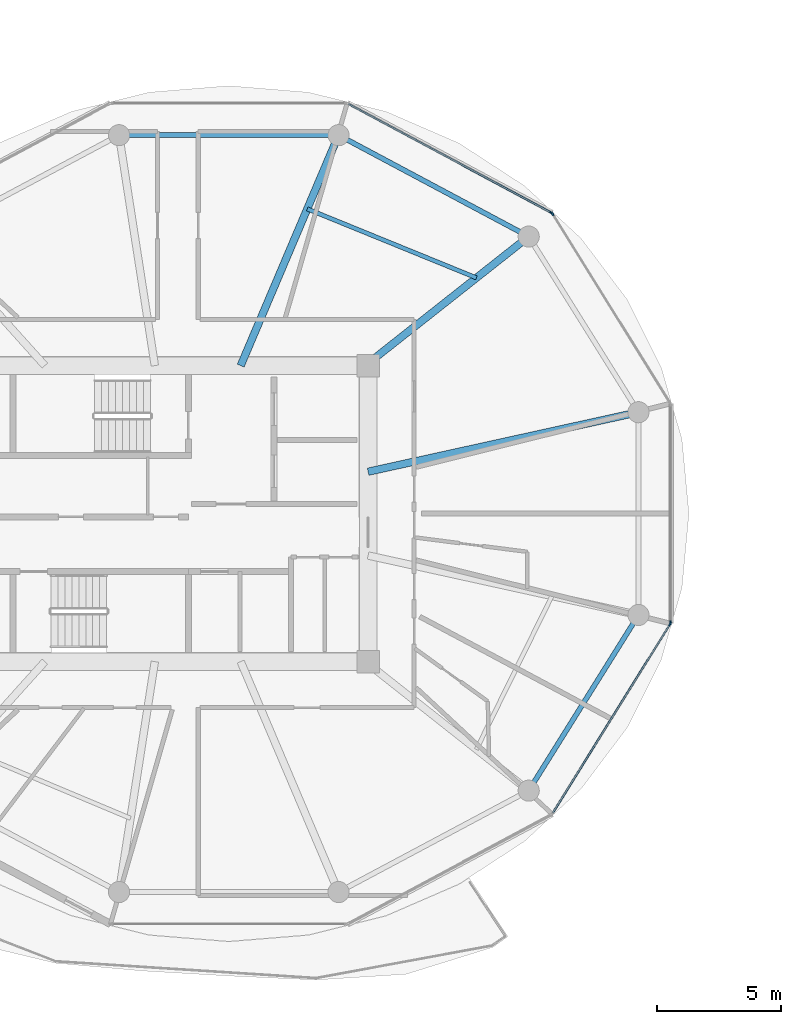
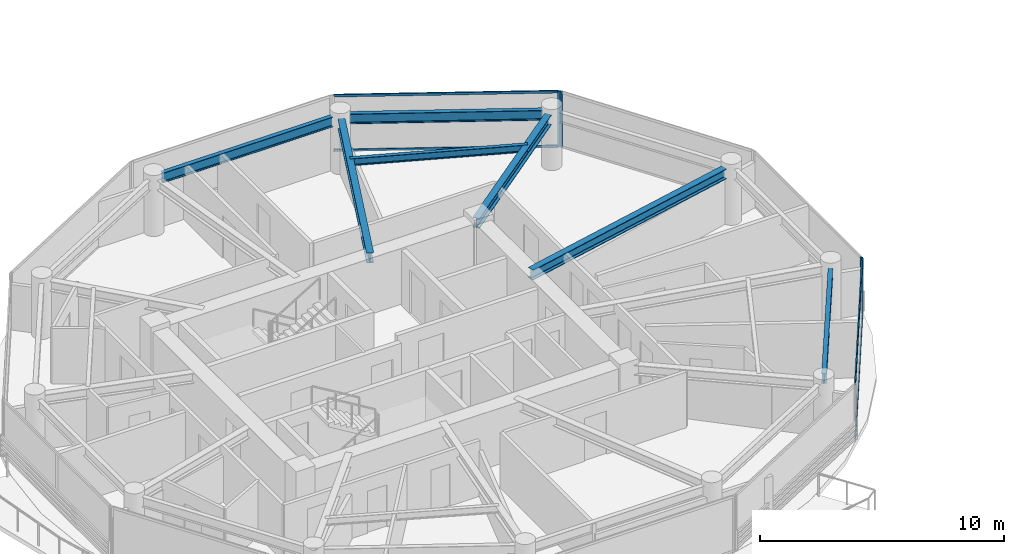
# One storey, part 5 of 24: 8 members, 7 beams, 4 elements without a shape of their own.
"""IFC4 building model written with IfcOpenShell, lengths in metres."""

from ifc_helpers import new_model, si_unit, direction, frame, origin, origin_2d, place, context, subcontext, project, spatial, rectangle, i_section, extrude, source, transform, mapped, material, layer, layer_set, material_profile, profile_set, type_object, type_shapes, element, aggregate, save


model = new_model("IFC4")

# Units and contexts
model_context = context("Model", 3, precision=1e-05, world=origin(), true_north=direction((0.0, 1.0)))
body_context = subcontext(model_context, "Body", "Model", "MODEL_VIEW")
ifc_project = project(units=[si_unit("LENGTHUNIT", "METRE"), si_unit("AREAUNIT", "SQUARE_METRE"), si_unit("VOLUMEUNIT", "CUBIC_METRE"), si_unit("PLANEANGLEUNIT", "RADIAN"), si_unit("MASSUNIT", "GRAM", prefix="KILO")], contexts=[model_context])

# Site, building, storey
site_placement = place(None, origin())
site = spatial("IfcSite", under=ifc_project, at=site_placement, CompositionType="ELEMENT")
building_placement = place(site_placement, origin())
building = spatial("IfcBuilding", under=site, at=building_placement, Name="Norrkilde Senior Care Towers", CompositionType="ELEMENT")
storey_placement = place(building_placement, frame((0.0, 0.0, 108.449951171875)))
storey = spatial("IfcBuildingStorey", under=building, at=storey_placement, Name="L33", CompositionType="ELEMENT", Elevation=108.449951171875)

# Beams
ifc_material_1 = material(Name="Steel S355", Category="steel")
ifc_material_profile_1 = material_profile(ifc_material_1, i_section(OverallWidth=0.199951171875, OverallDepth=0.5, WebThickness=0.01025390625, FlangeThickness=0.01611328125, FilletRadius=0.02099609375, at=origin_2d()), Name="IPE 500")
ifc_profile_set_1 = profile_set([ifc_material_profile_1], Name="Steel S355")
beam_type_1 = type_object("IfcBeamType", Name="Perimeter Ring Spandrel Z2 IPE500", PredefinedType="SPANDREL", material=ifc_profile_set_1)
shared_shape_1 = source(origin(), body_context, "Body", "SweptSolid", [
    extrude(i_section(OverallWidth=0.199951171875, OverallDepth=0.5, WebThickness=0.01025390625, FlangeThickness=0.01611328125, FilletRadius=0.02099609375, at=origin_2d()), origin(), (0.0, 0.0, 1.0), 7.55615234375),
])
beam_1_placement = place(storey_placement, frame((-13.689697265625, -10.810546875, 2.5400390625), z_axis=(0.529981514254, 0.848009194849, 0.0), x_axis=(-0.848009194849, 0.529981514254, 0.0)))
element("IfcBeam", 1, at=beam_1_placement, inside=storey, type_object=beam_type_1, Name="L33 Drum W Perimeter Spandrel 11", PredefinedType="SPANDREL", context=body_context, shape_type="MappedRepresentation", body=[
    mapped(shared_shape_1, transform((0.0, 0.0, 0.0), x_axis=(1.0, 0.0, 0.0), y_axis=(0.0, 1.0, 0.0), z_axis=(0.0, 0.0, 1.0), scale=1.0)),
])
ifc_material_profile_2 = material_profile(ifc_material_1, i_section(OverallWidth=0.300048828125, OverallDepth=0.5, WebThickness=0.014404296875, FlangeThickness=0.028076171875, FilletRadius=0.027099609375, at=origin_2d()), Name="HEB 500")
ifc_profile_set_2 = profile_set([ifc_material_profile_2], Name="Steel S355")
beam_type_2 = type_object("IfcBeamType", Name="Radial Floor Beam Z2 HEB500", PredefinedType="BEAM", material=ifc_profile_set_2)
shared_shape_2 = source(origin(), body_context, "Body", "SweptSolid", [
    extrude(i_section(OverallWidth=0.300048828125, OverallDepth=0.5, WebThickness=0.014404296875, FlangeThickness=0.028076171875, FilletRadius=0.027099609375, at=origin_2d()), origin(), (0.0, 0.0, 1.0), 10.744384765625),
])
beam_2_placement = place(storey_placement, frame((-20.35009765625, 1.683837890625, 2.5400390625), z_axis=(0.976618711422, 0.214978818724, 0.0), x_axis=(-0.214978818724, 0.976618711422, 0.0)))
element("IfcBeam", 2, at=beam_2_placement, inside=storey, type_object=beam_type_2, Name="L33 Drum W Radial Floor Beam 01", PredefinedType="BEAM", context=body_context, shape_type="MappedRepresentation", body=[
    mapped(shared_shape_2, transform((0.0, 0.0, 0.0), x_axis=(1.0, 0.0, 0.0), y_axis=(0.0, 1.0, 0.0), z_axis=(0.0, 0.0, 1.0), scale=1.0)),
])
shared_shape_3 = source(origin(), body_context, "Body", "SweptSolid", [
    extrude(i_section(OverallWidth=0.199951171875, OverallDepth=0.5, WebThickness=0.01025390625, FlangeThickness=0.01611328125, FilletRadius=0.02099609375, at=origin_2d()), origin(), (0.0, 0.0, 1.0), 7.892333984375),
])
beam_3_placement = place(storey_placement, frame((-14.233642578125, 11.318115234375, 2.5400390625), z_axis=(-0.882350372282, 0.47059305194, 0.0), x_axis=(-0.47059305194, -0.882350372282, 0.0)))
element("IfcBeam", 3, at=beam_3_placement, inside=storey, type_object=beam_type_1, Name="L33 Drum W Perimeter Spandrel 02", PredefinedType="SPANDREL", context=body_context, shape_type="MappedRepresentation", body=[
    mapped(shared_shape_3, transform((0.0, 0.0, 0.0), x_axis=(1.0, 0.0, 0.0), y_axis=(0.0, 1.0, 0.0), z_axis=(0.0, 0.0, 1.0), scale=1.0)),
])
shared_shape_4 = source(origin(), body_context, "Body", "SweptSolid", [
    extrude(i_section(OverallWidth=0.300048828125, OverallDepth=0.5, WebThickness=0.014404296875, FlangeThickness=0.028076171875, FilletRadius=0.027099609375, at=origin_2d()), origin(), (0.0, 0.0, 1.0), 7.985595703125),
])
beam_4_placement = place(storey_placement, frame((-20.463623046875, 5.949951171875, 2.5400390625), z_axis=(0.784858505144, 0.619675017169, 0.0), x_axis=(-0.619675017169, 0.784858505144, 0.0)))
element("IfcBeam", 4, at=beam_4_placement, inside=storey, type_object=beam_type_2, Name="L33 Drum W Radial Floor Beam 02", PredefinedType="BEAM", context=body_context, shape_type="MappedRepresentation", body=[
    mapped(shared_shape_4, transform((0.0, 0.0, 0.0), x_axis=(1.0, 0.0, 0.0), y_axis=(0.0, 1.0, 0.0), z_axis=(0.0, 0.0, 1.0), scale=1.0)),
])
shared_shape_5 = source(origin(), body_context, "Body", "SweptSolid", [
    extrude(i_section(OverallWidth=0.199951171875, OverallDepth=0.5, WebThickness=0.01025390625, FlangeThickness=0.01611328125, FilletRadius=0.02099609375, at=origin_2d()), origin(), (0.0, 0.0, 1.0), 8.0556640625),
])
type_shapes(beam_type_1, [shared_shape_1, shared_shape_3, shared_shape_5])
beam_5_placement = place(storey_placement, frame((-21.922119140625, 15.21337890625, 2.5400390625), z_axis=(-1.0, 0.0, 0.0), x_axis=(0.0, -1.0, 0.0)))
element("IfcBeam", 5, at=beam_5_placement, inside=storey, type_object=beam_type_1, Name="L33 Drum W Perimeter Spandrel 03", PredefinedType="SPANDREL", context=body_context, shape_type="MappedRepresentation", body=[
    mapped(shared_shape_5, transform((0.0, 0.0, 0.0), x_axis=(1.0, 0.0, 0.0), y_axis=(0.0, 1.0, 0.0), z_axis=(0.0, 0.0, 1.0), scale=1.0)),
])
shared_shape_6 = source(origin(), body_context, "Body", "SweptSolid", [
    extrude(i_section(OverallWidth=0.300048828125, OverallDepth=0.5, WebThickness=0.014404296875, FlangeThickness=0.028076171875, FilletRadius=0.027099609375, at=origin_2d()), origin(), (0.0, 0.0, 1.0), 9.679443359375),
])
type_shapes(beam_type_2, [shared_shape_2, shared_shape_4, shared_shape_6])
beam_6_placement = place(storey_placement, frame((-25.472412109375, 5.949951171875, 2.5400390625), z_axis=(0.390998033479, 0.920391513333, 0.0), x_axis=(-0.920391513333, 0.390998033479, 0.0)))
element("IfcBeam", 6, at=beam_6_placement, inside=storey, type_object=beam_type_2, Name="L33 Drum W Radial Floor Beam 03", PredefinedType="BEAM", context=body_context, shape_type="MappedRepresentation", body=[
    mapped(shared_shape_6, transform((0.0, 0.0, 0.0), x_axis=(1.0, 0.0, 0.0), y_axis=(0.0, 1.0, 0.0), z_axis=(0.0, 0.0, 1.0), scale=1.0)),
])
ifc_material_profile_3 = material_profile(ifc_material_1, i_section(OverallWidth=0.169921875, OverallDepth=0.360107421875, WebThickness=0.008056640625, FlangeThickness=0.0126953125, FilletRadius=0.01806640625, at=origin_2d()), Name="IPE 360")
ifc_profile_set_3 = profile_set([ifc_material_profile_3], Name="Steel S355")
beam_type_3 = type_object("IfcBeamType", Name="Secondary Floor Joist IPE360", PredefinedType="JOIST", material=ifc_profile_set_3)
shared_shape_7 = source(origin(), body_context, "Body", "SweptSolid", [
    extrude(i_section(OverallWidth=0.169921875, OverallDepth=0.360107421875, WebThickness=0.008056640625, FlangeThickness=0.0126953125, FilletRadius=0.01806640625, at=origin_2d()), origin(), (0.0, 0.0, 1.0), 7.343505859375),
])
type_shapes(beam_type_3, [shared_shape_7])
beam_7_placement = place(storey_placement, frame((-15.99609375, 9.47705078125, 2.610107421875), z_axis=(-0.926021784767, 0.377470070519, 0.0), x_axis=(-0.377470070519, -0.926021784767, 0.0)))
element("IfcBeam", 7, at=beam_7_placement, inside=storey, type_object=beam_type_3, Name="L33 Drum W Secondary Floor Joist 1", PredefinedType="JOIST", context=body_context, shape_type="MappedRepresentation", body=[
    mapped(shared_shape_7, transform((0.0, 0.0, 0.0), x_axis=(1.0, 0.0, 0.0), y_axis=(0.0, 1.0, 0.0), z_axis=(0.0, 0.0, 1.0), scale=1.0)),
])

# Curtain wall, member
ifc_material_2 = material(Name="Triple Low-E Insulated Glazing", Category="glass")
ifc_layer = layer(ifc_material_2, 0.195068359375)
ifc_layer_set = layer_set([ifc_layer], Name="Triple Low-E Insulated Glazing")
curtain_wall_type = type_object("IfcCurtainWallType", Name="CW3 Zone 2 Assisted Living Curtain Wall", PredefinedType="NOTDEFINED", material=ifc_layer_set)
curtain_wall_1_placement = place(storey_placement, origin())
curtain_wall_1 = element("IfcCurtainWall", 8, at=curtain_wall_1_placement, inside=storey, type_object=curtain_wall_type, Name="L33 Drum W Curtain Wall 00", PredefinedType="NOTDEFINED")
ifc_material_3 = material(Name="Anodised Aluminium", Category="aluminium")
ifc_material_profile_4 = material_profile(ifc_material_3, rectangle(XDim=0.06494140625, YDim=0.159912109375, at=origin_2d()), Name="ALU MULL 65x160")
ifc_profile_set_4 = profile_set([ifc_material_profile_4], Name="Anodised Aluminium")
member_type_1 = type_object("IfcMemberType", Name="Curtain Wall Mullion Z1-Z2 65x160", PredefinedType="MULLION", material=ifc_profile_set_4)
shared_shape_8 = source(origin(), body_context, "Body", "SweptSolid", [
    extrude(rectangle(XDim=0.06494140625, YDim=0.159912109375, at=origin_2d()), origin(), (0.0, 0.0, 1.0), 2.7900390625),
])
type_shapes(member_type_1, [shared_shape_8])
member_1_placement = place(storey_placement, frame((-12.936279296875, 12.0498046875, 0.0), z_axis=(0.0, 0.0, 1.0), x_axis=(0.849410171862, 0.527733228002, 0.0)))
member_1 = element("IfcMember", 9, at=member_1_placement, type_object=member_type_1, Name="CW-3 mullion 1", PredefinedType="MULLION", context=body_context, shape_type="MappedRepresentation", body=[
    mapped(shared_shape_8, transform((0.0, 0.0, 0.0), x_axis=(1.0, 0.0, 0.0), y_axis=(0.0, 1.0, 0.0), z_axis=(0.0, 0.0, 1.0), scale=1.0)),
])
aggregate(curtain_wall_1, [member_1])

curtain_wall_2_placement = place(storey_placement, origin())
curtain_wall_2 = element("IfcCurtainWall", 10, at=curtain_wall_2_placement, inside=storey, type_object=curtain_wall_type, Name="L33 Drum W Curtain Wall 01", PredefinedType="NOTDEFINED")
member_2_placement = place(storey_placement, frame((-12.98193359375, 12.0927734375, 0.0), z_axis=(0.0, 0.0, 1.0), x_axis=(0.472769402511, 0.881186184668, 0.0)))
member_2 = element("IfcMember", 11, at=member_2_placement, type_object=member_type_1, Name="CW-3 mullion 2", PredefinedType="MULLION", context=body_context, shape_type="MappedRepresentation", body=[
    mapped(shared_shape_8, transform((0.0, 0.0, 0.0), x_axis=(1.0, 0.0, 0.0), y_axis=(0.0, 1.0, 0.0), z_axis=(0.0, 0.0, 1.0), scale=1.0)),
])

curtain_wall_3_placement = place(storey_placement, origin())
curtain_wall_3 = element("IfcCurtainWall", 12, at=curtain_wall_3_placement, inside=storey, type_object=curtain_wall_type, Name="L33 Drum W Curtain Wall 10", PredefinedType="NOTDEFINED")
member_3_placement = place(storey_placement, frame((-8.21337890625, -4.4482421875, 0.0), z_axis=(0.0, 0.0, 1.0), x_axis=(0.849410171862, -0.527733228002, 0.0)))
member_3 = element("IfcMember", 13, at=member_3_placement, type_object=member_type_1, Name="CW-3 mullion 1", PredefinedType="MULLION", context=body_context, shape_type="MappedRepresentation", body=[
    mapped(shared_shape_8, transform((0.0, 0.0, 0.0), x_axis=(1.0, 0.0, 0.0), y_axis=(0.0, 1.0, 0.0), z_axis=(0.0, 0.0, 1.0), scale=1.0)),
])

curtain_wall_4_placement = place(storey_placement, origin())
curtain_wall_4 = element("IfcCurtainWall", 14, at=curtain_wall_4_placement, inside=storey, type_object=curtain_wall_type, Name="L33 Drum W Curtain Wall 11", PredefinedType="NOTDEFINED")
member_4_placement = place(storey_placement, frame((-8.1962890625, -4.38818359375, 0.0), z_axis=(0.0, 0.0, 1.0), x_axis=(1.0, 0.0, 0.0)))
member_4 = element("IfcMember", 15, at=member_4_placement, type_object=member_type_1, Name="CW-3 mullion 2", PredefinedType="MULLION", context=body_context, shape_type="MappedRepresentation", body=[
    mapped(shared_shape_8, transform((0.0, 0.0, 0.0), x_axis=(1.0, 0.0, 0.0), y_axis=(0.0, 1.0, 0.0), z_axis=(0.0, 0.0, 1.0), scale=1.0)),
])
aggregate(curtain_wall_4, [member_4])

# Member
ifc_material_profile_5 = material_profile(ifc_material_3, rectangle(XDim=0.06005859375, YDim=0.1201171875, at=origin_2d()), Name="ALU TRAN 60x120")
ifc_profile_set_5 = profile_set([ifc_material_profile_5], Name="Anodised Aluminium")
member_type_2 = type_object("IfcMemberType", Name="Curtain Wall Transom Typical 60x120", PredefinedType="USERDEFINED", material=ifc_profile_set_5)
shared_shape_9 = source(origin(), body_context, "Body", "SweptSolid", [
    extrude(rectangle(XDim=0.06005859375, YDim=0.1201171875, at=origin_2d()), origin(), (0.0, 0.0, 1.0), 8.88427734375),
])
member_5_placement = place(storey_placement, frame((-8.23046875, -4.475830078125, 0.030029296875), z_axis=(-0.527749293309, -0.849400190377, 0.0), x_axis=(0.849400190377, -0.527749293309, 0.0)))
member_5 = element("IfcMember", 16, at=member_5_placement, type_object=member_type_2, Name="CW-3 transom 1.1", ObjectType="TRANSOM", PredefinedType="USERDEFINED", context=body_context, shape_type="MappedRepresentation", body=[
    mapped(shared_shape_9, transform((0.0, 0.0, 0.0), x_axis=(1.0, 0.0, 0.0), y_axis=(0.0, 1.0, 0.0), z_axis=(0.0, 0.0, 1.0), scale=1.0)),
])

member_6_placement = place(storey_placement, frame((-8.23046875, -4.475830078125, 2.760009765625), z_axis=(-0.527749293309, -0.849400190377, 0.0), x_axis=(0.849400190377, -0.527749293309, 0.0)))
member_6 = element("IfcMember", 17, at=member_6_placement, type_object=member_type_2, Name="CW-3 transom 1.2", ObjectType="TRANSOM", PredefinedType="USERDEFINED", context=body_context, shape_type="MappedRepresentation", body=[
    mapped(shared_shape_9, transform((0.0, 0.0, 0.0), x_axis=(1.0, 0.0, 0.0), y_axis=(0.0, 1.0, 0.0), z_axis=(0.0, 0.0, 1.0), scale=1.0)),
])

aggregate(curtain_wall_3, [member_3, member_5, member_6])

shared_shape_10 = source(origin(), body_context, "Body", "SweptSolid", [
    extrude(rectangle(XDim=0.06005859375, YDim=0.1201171875, at=origin_2d()), origin(), (0.0, 0.0, 1.0), 9.220458984375),
])
type_shapes(member_type_2, [shared_shape_9, shared_shape_10])
member_7_placement = place(storey_placement, frame((-21.1357421875, 16.46728515625, 0.030029296875), z_axis=(0.881188517866, -0.472765053681, 0.0), x_axis=(0.472765053681, 0.881188517866, 0.0)))
member_7 = element("IfcMember", 18, at=member_7_placement, type_object=member_type_2, Name="CW-3 transom 1.1", ObjectType="TRANSOM", PredefinedType="USERDEFINED", context=body_context, shape_type="MappedRepresentation", body=[
    mapped(shared_shape_10, transform((0.0, 0.0, 0.0), x_axis=(1.0, 0.0, 0.0), y_axis=(0.0, 1.0, 0.0), z_axis=(0.0, 0.0, 1.0), scale=1.0)),
])

member_8_placement = place(storey_placement, frame((-21.1357421875, 16.46728515625, 2.760009765625), z_axis=(0.881188517866, -0.472765053681, 0.0), x_axis=(0.472765053681, 0.881188517866, 0.0)))
member_8 = element("IfcMember", 19, at=member_8_placement, type_object=member_type_2, Name="CW-3 transom 1.2", ObjectType="TRANSOM", PredefinedType="USERDEFINED", context=body_context, shape_type="MappedRepresentation", body=[
    mapped(shared_shape_10, transform((0.0, 0.0, 0.0), x_axis=(1.0, 0.0, 0.0), y_axis=(0.0, 1.0, 0.0), z_axis=(0.0, 0.0, 1.0), scale=1.0)),
])

aggregate(curtain_wall_2, [member_2, member_7, member_8])

save(model, "model.ifc")
